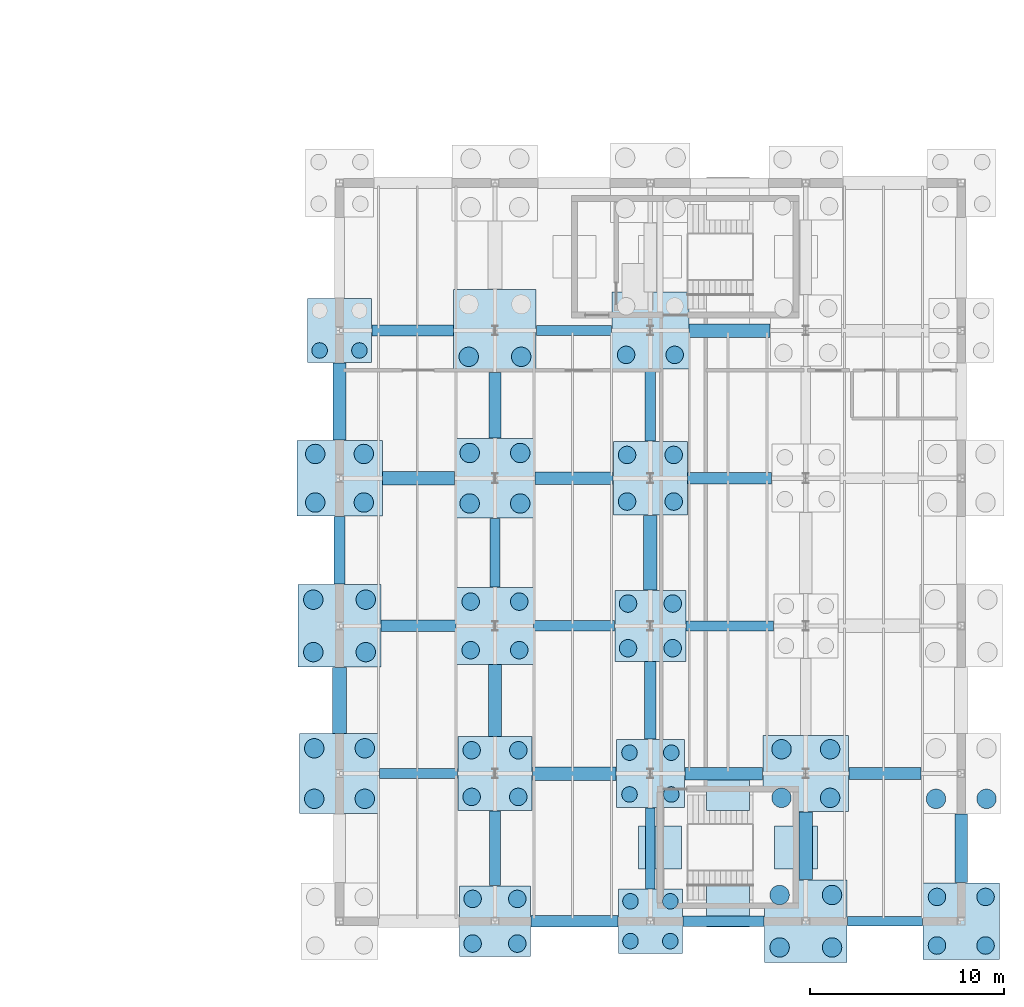
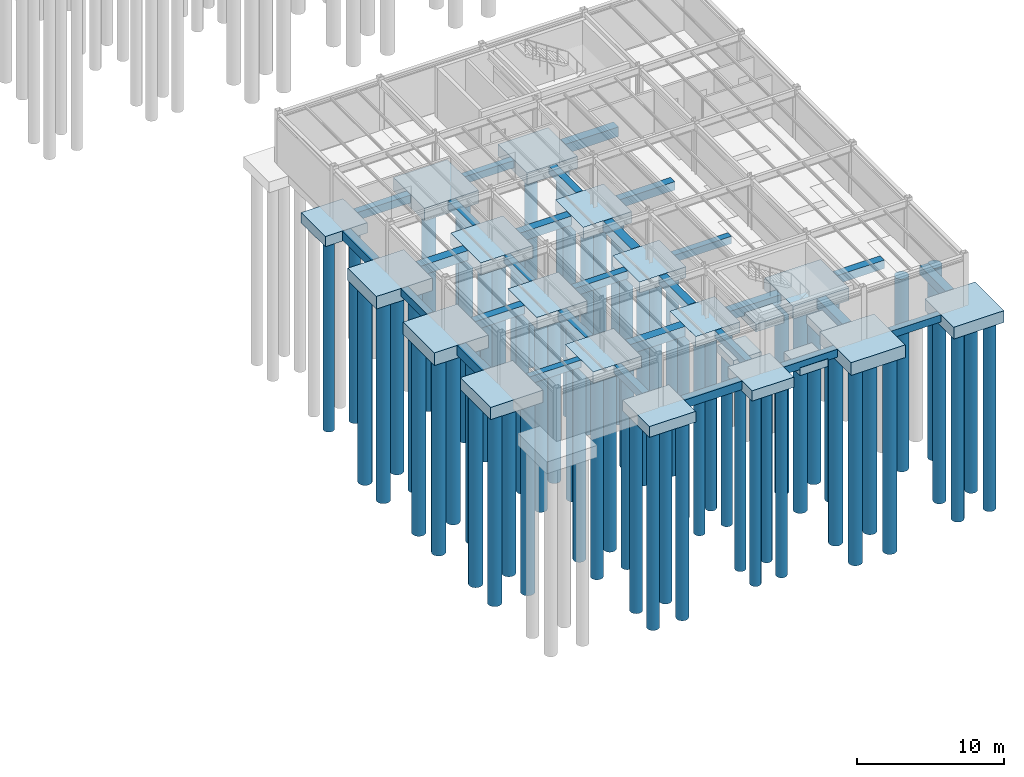
# One storey, part 6 of 33: 64 piles, 50 footings.
"""IFC4 building model written with IfcOpenShell, lengths in metres."""

from ifc_helpers import new_model, si_unit, direction, frame, origin, origin_2d, place, context, subcontext, project, spatial, rectangle, circle, extrude, material, material_profile, profile_set, type_object, element, save


model = new_model("IFC4")

# Units and contexts
model_context = context("Model", 3, precision=1e-05, world=origin(), true_north=direction((0.0, 1.0)))
body_context = subcontext(model_context, "Body", "Model", "MODEL_VIEW")
ifc_project = project(units=[si_unit("LENGTHUNIT", "METRE"), si_unit("AREAUNIT", "SQUARE_METRE"), si_unit("VOLUMEUNIT", "CUBIC_METRE"), si_unit("PLANEANGLEUNIT", "RADIAN"), si_unit("MASSUNIT", "GRAM", prefix="KILO")], contexts=[model_context])

# Site, building, storey
site_placement = place(None, origin())
site = spatial("IfcSite", under=ifc_project, at=site_placement, CompositionType="ELEMENT")
building_placement = place(site_placement, origin())
building = spatial("IfcBuilding", under=site, at=building_placement, Name="Montecoro Central Library", CompositionType="ELEMENT")
storey_placement = place(building_placement, frame((0.0, 0.0, -4.419921875)))
storey = spatial("IfcBuildingStorey", under=building, at=storey_placement, Name="B1", CompositionType="ELEMENT", Elevation=-4.419921875)

# Footings
ifc_material = material(Name="Concrete C35/45", Category="concrete")
footing_type_1 = type_object("IfcFootingType", Name="FT-PAD-220", PredefinedType="PAD_FOOTING", material=ifc_material)
for number, where, z_axis, x_axis, name in (
    (1, (161.0, 5.800048828125, -1.150146484375), (0.0, 0.0, 1.0), (1.0, 0.0, 0.0), "FT-WALL-C10-WS"),
    (2, (161.0, 11.800048828125, -1.150146484375), (0.0, 0.0, 1.0), (1.0, 0.0, 0.0), "FT-WALL-C10-WN"),
    (3, (157.5, 8.800048828125, -1.150146484375), (0.0, 0.0, 1.0), (1.0, 0.0, 0.0), "FT-WALL-C10-WW"),
    (4, (164.5, 8.800048828125, -1.150146484375), (0.0, 0.0, 1.0), (1.0, 0.0, 0.0), "FT-WALL-C10-WE"),
):
    element("IfcFooting", number, at=place(storey_placement, frame(where, z_axis=z_axis, x_axis=x_axis)), inside=storey, type_object=footing_type_1, Name=name, PredefinedType="PAD_FOOTING", context=body_context, shape_type="SweptSolid", body=[
        extrude(rectangle(XDim=2.199951171875, YDim=2.199951171875, at=origin_2d()), origin(), (0.0, 0.0, 1.0), 0.64990234375),
    ])
footing_type_2 = type_object("IfcFootingType", Name="FT-PC-330", PredefinedType="PILE_CAP", material=ifc_material)
for number, where, z_axis, x_axis, name in (
    (5, (141.0, 35.39990234375, -0.85009765625), (0.0, 0.0, 1.0), (1.0, 0.0, 0.0), "V6-CAP-18-E"),
    (6, (157.0, 5.0, -0.85009765625), (0.0, 0.0, 1.0), (1.0, 0.0, 0.0), "V6-CAP-20-A"),
):
    element("IfcFooting", number, at=place(storey_placement, frame(where, z_axis=z_axis, x_axis=x_axis)), inside=storey, type_object=footing_type_2, Name=name, PredefinedType="PILE_CAP", context=body_context, shape_type="SweptSolid", body=[
        extrude(rectangle(XDim=3.300048828125, YDim=3.300048828125, at=origin_2d()), origin(), (0.0, 0.0, 1.0), 0.85009765625),
    ])
footing_type_3 = type_object("IfcFootingType", Name="FT-PC-350", PredefinedType="PILE_CAP", material=ifc_material)
footing_1_placement = place(storey_placement, frame((157.0, 12.60009765625, -0.880126953125), z_axis=(0.0, 0.0, 1.0), x_axis=(1.0, 0.0, 0.0)))
element("IfcFooting", 7, at=footing_1_placement, inside=storey, type_object=footing_type_3, Name="V6-CAP-20-B", PredefinedType="PILE_CAP", context=body_context, shape_type="SweptSolid", body=[
    extrude(rectangle(XDim=3.5, YDim=3.5, at=origin_2d()), origin(), (0.0, 0.0, 1.0), 0.8798828125),
])
footing_type_4 = type_object("IfcFootingType", Name="FT-PC-365", PredefinedType="PILE_CAP", material=ifc_material)
for number, where, z_axis, x_axis, name in (
    (8, (149.0, 5.0, -0.900146484375), (0.0, 0.0, 1.0), (1.0, 0.0, 0.0), "V6-CAP-19-A"),
    (9, (157.0, 20.199951171875, -0.900146484375), (0.0, 0.0, 1.0), (1.0, 0.0, 0.0), "V6-CAP-20-C"),
):
    element("IfcFooting", number, at=place(storey_placement, frame(where, z_axis=z_axis, x_axis=x_axis)), inside=storey, type_object=footing_type_4, Name=name, PredefinedType="PILE_CAP", context=body_context, shape_type="SweptSolid", body=[
        extrude(rectangle(XDim=3.64990234375, YDim=3.64990234375, at=origin_2d()), origin(), (0.0, 0.0, 1.0), 0.89990234375),
    ])
footing_type_5 = type_object("IfcFootingType", Name="FT-PC-380", PredefinedType="PILE_CAP", material=ifc_material)
for number, where, z_axis, x_axis, name in (
    (10, (149.0, 12.60009765625, -0.9501953125), (0.0, 0.0, 1.0), (1.0, 0.0, 0.0), "V6-CAP-19-B"),
    (11, (157.0, 27.800048828125, -0.9501953125), (0.0, 0.0, 1.0), (1.0, 0.0, 0.0), "V6-CAP-20-D"),
):
    element("IfcFooting", number, at=place(storey_placement, frame(where, z_axis=z_axis, x_axis=x_axis)), inside=storey, type_object=footing_type_5, Name=name, PredefinedType="PILE_CAP", context=body_context, shape_type="SweptSolid", body=[
        extrude(rectangle(XDim=3.800048828125, YDim=3.800048828125, at=origin_2d()), origin(), (0.0, 0.0, 1.0), 0.949951171875),
    ])
footing_type_6 = type_object("IfcFootingType", Name="FT-PC-395", PredefinedType="PILE_CAP", material=ifc_material)
for number, where, z_axis, x_axis, name in (
    (12, (149.0, 20.199951171875, -0.97998046875), (0.0, 0.0, 1.0), (1.0, 0.0, 0.0), "V6-CAP-19-C"),
    (13, (157.0, 35.39990234375, -0.97998046875), (0.0, 0.0, 1.0), (1.0, 0.0, 0.0), "V6-CAP-20-E"),
    (14, (173.0, 5.0, -0.97998046875), (0.0, 0.0, 1.0), (1.0, 0.0, 0.0), "V6-CAP-22-A"),
):
    element("IfcFooting", number, at=place(storey_placement, frame(where, z_axis=z_axis, x_axis=x_axis)), inside=storey, type_object=footing_type_6, Name=name, PredefinedType="PILE_CAP", context=body_context, shape_type="SweptSolid", body=[
        extrude(rectangle(XDim=3.949951171875, YDim=3.949951171875, at=origin_2d()), origin(), (0.0, 0.0, 1.0), 0.97998046875),
    ])
footing_type_7 = type_object("IfcFootingType", Name="FT-PC-410", PredefinedType="PILE_CAP", material=ifc_material)
for number, where, z_axis, x_axis, name in (
    (15, (141.0, 12.60009765625, -1.02001953125), (0.0, 0.0, 1.0), (1.0, 0.0, 0.0), "V6-CAP-18-B"),
    (16, (149.0, 27.800048828125, -1.02001953125), (0.0, 0.0, 1.0), (1.0, 0.0, 0.0), "V6-CAP-19-D"),
):
    element("IfcFooting", number, at=place(storey_placement, frame(where, z_axis=z_axis, x_axis=x_axis)), inside=storey, type_object=footing_type_7, Name=name, PredefinedType="PILE_CAP", context=body_context, shape_type="SweptSolid", body=[
        extrude(rectangle(XDim=4.10009765625, YDim=4.10009765625, at=origin_2d()), origin(), (0.0, 0.0, 1.0), 1.02001953125),
    ])
footing_type_8 = type_object("IfcFootingType", Name="FT-PC-425", PredefinedType="PILE_CAP", material=ifc_material)
for number, where, z_axis, x_axis, name in (
    (17, (141.0, 20.199951171875, -1.06005859375), (0.0, 0.0, 1.0), (1.0, 0.0, 0.0), "V6-CAP-18-C"),
    (18, (149.0, 35.39990234375, -1.06005859375), (0.0, 0.0, 1.0), (1.0, 0.0, 0.0), "V6-CAP-19-E"),
    (19, (165.0, 5.0, -1.06005859375), (0.0, 0.0, 1.0), (1.0, 0.0, 0.0), "V6-CAP-21-A"),
):
    element("IfcFooting", number, at=place(storey_placement, frame(where, z_axis=z_axis, x_axis=x_axis)), inside=storey, type_object=footing_type_8, Name=name, PredefinedType="PILE_CAP", context=body_context, shape_type="SweptSolid", body=[
        extrude(rectangle(XDim=4.25, YDim=4.25, at=origin_2d()), origin(), (0.0, 0.0, 1.0), 1.06005859375),
    ])
footing_type_9 = type_object("IfcFootingType", Name="FT-PC-440", PredefinedType="PILE_CAP", material=ifc_material)
for number, where, z_axis, x_axis, name in (
    (20, (141.0, 27.800048828125, -1.05029296875), (0.0, 0.0, 1.0), (1.0, 0.0, 0.0), "V6-CAP-18-D"),
    (21, (165.0, 12.60009765625, -1.05029296875), (0.0, 0.0, 1.0), (1.0, 0.0, 0.0), "V6-CAP-21-B"),
):
    element("IfcFooting", number, at=place(storey_placement, frame(where, z_axis=z_axis, x_axis=x_axis)), inside=storey, type_object=footing_type_9, Name=name, PredefinedType="PILE_CAP", context=body_context, shape_type="SweptSolid", body=[
        extrude(rectangle(XDim=4.39990234375, YDim=3.89990234375, at=origin_2d()), origin(), (0.0, 0.0, 1.0), 1.050048828125),
    ])
footing_type_10 = type_object("IfcFootingType", Name="FT-TB-01", PredefinedType="FOOTING_BEAM", material=ifc_material)
footing_2_placement = place(storey_placement, frame((145.074951171875, 12.60009765625, -0.60009765625), z_axis=(0.0, 0.0, 1.0), x_axis=(1.0, 0.0, 0.0)))
element("IfcFooting", 22, at=footing_2_placement, inside=storey, type_object=footing_type_10, Name="FT-TBX-125", PredefinedType="FOOTING_BEAM", context=body_context, shape_type="SweptSolid", body=[
    extrude(rectangle(XDim=4.010009765625, YDim=0.5, at=origin_2d()), origin(), (0.0, 0.0, 1.0), 0.60009765625),
])
footing_3_placement = place(storey_placement, frame((149.0, 23.9619140625, -0.60009765625), z_axis=(0.0, 0.0, 1.0), x_axis=(1.0, 0.0, 0.0)))
element("IfcFooting", 23, at=footing_3_placement, inside=storey, type_object=footing_type_10, Name="FT-TBY-150", PredefinedType="FOOTING_BEAM", context=body_context, shape_type="SweptSolid", body=[
    extrude(rectangle(XDim=0.5, YDim=3.534912109375, at=origin_2d()), origin(), (0.0, 0.0, 1.0), 0.60009765625),
])
footing_4_placement = place(storey_placement, frame((153.074951171875, 35.39990234375, -0.60009765625), z_axis=(0.0, 0.0, 1.0), x_axis=(1.0, 0.0, 0.0)))
element("IfcFooting", 24, at=footing_4_placement, inside=storey, type_object=footing_type_10, Name="FT-TBX-155", PredefinedType="FOOTING_BEAM", context=body_context, shape_type="SweptSolid", body=[
    extrude(rectangle(XDim=3.860107421875, YDim=0.5, at=origin_2d()), origin(), (0.0, 0.0, 1.0), 0.60009765625),
])
footing_5_placement = place(storey_placement, frame((157.0, 8.75, -0.60009765625), z_axis=(0.0, 0.0, 1.0), x_axis=(1.0, 0.0, 0.0)))
element("IfcFooting", 25, at=footing_5_placement, inside=storey, type_object=footing_type_10, Name="FT-TBY-170", PredefinedType="FOOTING_BEAM", context=body_context, shape_type="SweptSolid", body=[
    extrude(rectangle(XDim=0.5, YDim=4.159912109375, at=origin_2d()), origin(), (0.0, 0.0, 1.0), 0.60009765625),
])
footing_6_placement = place(storey_placement, frame((161.087890625, 20.199951171875, -0.60009765625), z_axis=(0.0, 0.0, 1.0), x_axis=(1.0, 0.0, 0.0)))
element("IfcFooting", 26, at=footing_6_placement, inside=storey, type_object=footing_type_10, Name="FT-TBX-175", PredefinedType="FOOTING_BEAM", context=body_context, shape_type="SweptSolid", body=[
    extrude(rectangle(XDim=4.485107421875, YDim=0.5, at=origin_2d()), origin(), (0.0, 0.0, 1.0), 0.60009765625),
])
footing_7_placement = place(storey_placement, frame((169.074951171875, 5.0, -0.60009765625), z_axis=(0.0, 0.0, 1.0), x_axis=(1.0, 0.0, 0.0)))
element("IfcFooting", 27, at=footing_7_placement, inside=storey, type_object=footing_type_10, Name="FT-TBX-195", PredefinedType="FOOTING_BEAM", context=body_context, shape_type="SweptSolid", body=[
    extrude(rectangle(XDim=3.860107421875, YDim=0.5, at=origin_2d()), origin(), (0.0, 0.0, 1.0), 0.60009765625),
])
footing_type_11 = type_object("IfcFootingType", Name="FT-TB-02", PredefinedType="FOOTING_BEAM", material=ifc_material)
footing_8_placement = place(storey_placement, frame((141.0, 24.0869140625, -0.650146484375), z_axis=(0.0, 0.0, 1.0), x_axis=(1.0, 0.0, 0.0)))
element("IfcFooting", 28, at=footing_8_placement, inside=storey, type_object=footing_type_11, Name="FT-TBY-126", PredefinedType="FOOTING_BEAM", context=body_context, shape_type="SweptSolid", body=[
    extrude(rectangle(XDim=0.550048828125, YDim=3.485107421875, at=origin_2d()), origin(), (0.0, 0.0, 1.0), 0.64990234375),
])
footing_9_placement = place(storey_placement, frame((144.761962890625, 35.39990234375, -0.650146484375), z_axis=(0.0, 0.0, 1.0), x_axis=(1.0, 0.0, 0.0)))
element("IfcFooting", 29, at=footing_9_placement, inside=storey, type_object=footing_type_11, Name="FT-TBX-131", PredefinedType="FOOTING_BEAM", context=body_context, shape_type="SweptSolid", body=[
    extrude(rectangle(XDim=4.18505859375, YDim=0.550048828125, at=origin_2d()), origin(), (0.0, 0.0, 1.0), 0.64990234375),
])
footing_10_placement = place(storey_placement, frame((149.0, 8.761962890625, -0.650146484375), z_axis=(0.0, 0.0, 1.0), x_axis=(1.0, 0.0, 0.0)))
element("IfcFooting", 30, at=footing_10_placement, inside=storey, type_object=footing_type_11, Name="FT-TBY-146", PredefinedType="FOOTING_BEAM", context=body_context, shape_type="SweptSolid", body=[
    extrude(rectangle(XDim=0.550048828125, YDim=3.8349609375, at=origin_2d()), origin(), (0.0, 0.0, 1.0), 0.64990234375),
])
footing_11_placement = place(storey_placement, frame((153.074951171875, 20.199951171875, -0.650146484375), z_axis=(0.0, 0.0, 1.0), x_axis=(1.0, 0.0, 0.0)))
element("IfcFooting", 31, at=footing_11_placement, inside=storey, type_object=footing_type_11, Name="FT-TBX-151", PredefinedType="FOOTING_BEAM", context=body_context, shape_type="SweptSolid", body=[
    extrude(rectangle(XDim=4.159912109375, YDim=0.550048828125, at=origin_2d()), origin(), (0.0, 0.0, 1.0), 0.64990234375),
])
footing_12_placement = place(storey_placement, frame((160.761962890625, 5.0, -0.650146484375), z_axis=(0.0, 0.0, 1.0), x_axis=(1.0, 0.0, 0.0)))
element("IfcFooting", 32, at=footing_12_placement, inside=storey, type_object=footing_type_11, Name="FT-TBX-171", PredefinedType="FOOTING_BEAM", context=body_context, shape_type="SweptSolid", body=[
    extrude(rectangle(XDim=4.18505859375, YDim=0.550048828125, at=origin_2d()), origin(), (0.0, 0.0, 1.0), 0.64990234375),
])
footing_13_placement = place(storey_placement, frame((157.0, 31.56201171875, -0.650146484375), z_axis=(0.0, 0.0, 1.0), x_axis=(1.0, 0.0, 0.0)))
element("IfcFooting", 33, at=footing_13_placement, inside=storey, type_object=footing_type_11, Name="FT-TBY-176", PredefinedType="FOOTING_BEAM", context=body_context, shape_type="SweptSolid", body=[
    extrude(rectangle(XDim=0.550048828125, YDim=3.68505859375, at=origin_2d()), origin(), (0.0, 0.0, 1.0), 0.64990234375),
])
footing_type_12 = type_object("IfcFootingType", Name="FT-TB-03", PredefinedType="FOOTING_BEAM", material=ifc_material)
footing_14_placement = place(storey_placement, frame((145.074951171875, 20.199951171875, -0.7001953125), z_axis=(0.0, 0.0, 1.0), x_axis=(1.0, 0.0, 0.0)))
element("IfcFooting", 34, at=footing_14_placement, inside=storey, type_object=footing_type_12, Name="FT-TBX-127", PredefinedType="FOOTING_BEAM", context=body_context, shape_type="SweptSolid", body=[
    extrude(rectangle(XDim=3.860107421875, YDim=0.60009765625, at=origin_2d()), origin(), (0.0, 0.0, 1.0), 0.699951171875),
])
footing_15_placement = place(storey_placement, frame((153.087890625, 5.0, -0.7001953125), z_axis=(0.0, 0.0, 1.0), x_axis=(1.0, 0.0, 0.0)))
element("IfcFooting", 35, at=footing_15_placement, inside=storey, type_object=footing_type_12, Name="FT-TBX-147", PredefinedType="FOOTING_BEAM", context=body_context, shape_type="SweptSolid", body=[
    extrude(rectangle(XDim=4.485107421875, YDim=0.60009765625, at=origin_2d()), origin(), (0.0, 0.0, 1.0), 0.699951171875),
])
footing_16_placement = place(storey_placement, frame((149.0, 31.56201171875, -0.7001953125), z_axis=(0.0, 0.0, 1.0), x_axis=(1.0, 0.0, 0.0)))
element("IfcFooting", 36, at=footing_16_placement, inside=storey, type_object=footing_type_12, Name="FT-TBY-152", PredefinedType="FOOTING_BEAM", context=body_context, shape_type="SweptSolid", body=[
    extrude(rectangle(XDim=0.60009765625, YDim=3.385009765625, at=origin_2d()), origin(), (0.0, 0.0, 1.0), 0.699951171875),
])
footing_17_placement = place(storey_placement, frame((157.0, 16.363037109375, -0.7001953125), z_axis=(0.0, 0.0, 1.0), x_axis=(1.0, 0.0, 0.0)))
element("IfcFooting", 37, at=footing_17_placement, inside=storey, type_object=footing_type_12, Name="FT-TBY-172", PredefinedType="FOOTING_BEAM", context=body_context, shape_type="SweptSolid", body=[
    extrude(rectangle(XDim=0.60009765625, YDim=3.985107421875, at=origin_2d()), origin(), (0.0, 0.0, 1.0), 0.699951171875),
])
footing_18_placement = place(storey_placement, frame((161.074951171875, 27.800048828125, -0.7001953125), z_axis=(0.0, 0.0, 1.0), x_axis=(1.0, 0.0, 0.0)))
element("IfcFooting", 38, at=footing_18_placement, inside=storey, type_object=footing_type_12, Name="FT-TBX-177", PredefinedType="FOOTING_BEAM", context=body_context, shape_type="SweptSolid", body=[
    extrude(rectangle(XDim=4.31005859375, YDim=0.60009765625, at=origin_2d()), origin(), (0.0, 0.0, 1.0), 0.699951171875),
])
footing_19_placement = place(storey_placement, frame((169.074951171875, 12.60009765625, -0.7001953125), z_axis=(0.0, 0.0, 1.0), x_axis=(1.0, 0.0, 0.0)))
element("IfcFooting", 39, at=footing_19_placement, inside=storey, type_object=footing_type_12, Name="FT-TBX-197", PredefinedType="FOOTING_BEAM", context=body_context, shape_type="SweptSolid", body=[
    extrude(rectangle(XDim=3.7099609375, YDim=0.60009765625, at=origin_2d()), origin(), (0.0, 0.0, 1.0), 0.699951171875),
])
footing_type_13 = type_object("IfcFootingType", Name="FT-TB-04", PredefinedType="FOOTING_BEAM", material=ifc_material)
footing_20_placement = place(storey_placement, frame((141.0, 31.75, -0.75), z_axis=(0.0, 0.0, 1.0), x_axis=(1.0, 0.0, 0.0)))
element("IfcFooting", 40, at=footing_20_placement, inside=storey, type_object=footing_type_13, Name="FT-TBY-128", PredefinedType="FOOTING_BEAM", context=body_context, shape_type="SweptSolid", body=[
    extrude(rectangle(XDim=0.64990234375, YDim=3.9599609375, at=origin_2d()), origin(), (0.0, 0.0, 1.0), 0.75),
])
footing_21_placement = place(storey_placement, frame((149.0, 16.362060546875, -0.75), z_axis=(0.0, 0.0, 1.0), x_axis=(1.0, 0.0, 0.0)))
element("IfcFooting", 41, at=footing_21_placement, inside=storey, type_object=footing_type_13, Name="FT-TBY-148", PredefinedType="FOOTING_BEAM", context=body_context, shape_type="SweptSolid", body=[
    extrude(rectangle(XDim=0.64990234375, YDim=3.68505859375, at=origin_2d()), origin(), (0.0, 0.0, 1.0), 0.75),
])
for number, where, z_axis, x_axis, name in (
    (42, (153.074951171875, 27.800048828125, -0.75), (0.0, 0.0, 1.0), (1.0, 0.0, 0.0), "FT-TBX-153"),
    (43, (160.77490234375, 12.60009765625, -0.75), (0.0, 0.0, 1.0), (1.0, 0.0, 0.0), "FT-TBX-173"),
):
    element("IfcFooting", number, at=place(storey_placement, frame(where, z_axis=z_axis, x_axis=x_axis)), inside=storey, type_object=footing_type_13, Name=name, PredefinedType="FOOTING_BEAM", context=body_context, shape_type="SweptSolid", body=[
        extrude(rectangle(XDim=4.010009765625, YDim=0.64990234375, at=origin_2d()), origin(), (0.0, 0.0, 1.0), 0.75),
    ])
footing_22_placement = place(storey_placement, frame((173.0, 8.761962890625, -0.75), z_axis=(0.0, 0.0, 1.0), x_axis=(1.0, 0.0, 0.0)))
element("IfcFooting", 44, at=footing_22_placement, inside=storey, type_object=footing_type_13, Name="FT-TBY-218", PredefinedType="FOOTING_BEAM", context=body_context, shape_type="SweptSolid", body=[
    extrude(rectangle(XDim=0.64990234375, YDim=3.534912109375, at=origin_2d()), origin(), (0.0, 0.0, 1.0), 0.75),
])
footing_type_14 = type_object("IfcFootingType", Name="FT-TB-05", PredefinedType="FOOTING_BEAM", material=ifc_material)
footing_23_placement = place(storey_placement, frame((141.0, 16.363037109375, -0.80029296875), z_axis=(0.0, 0.0, 1.0), x_axis=(1.0, 0.0, 0.0)))
element("IfcFooting", 45, at=footing_23_placement, inside=storey, type_object=footing_type_14, Name="FT-TBY-124", PredefinedType="FOOTING_BEAM", context=body_context, shape_type="SweptSolid", body=[
    extrude(rectangle(XDim=0.699951171875, YDim=3.385009765625, at=origin_2d()), origin(), (0.0, 0.0, 1.0), 0.800048828125),
])
footing_24_placement = place(storey_placement, frame((145.074951171875, 27.800048828125, -0.80029296875), z_axis=(0.0, 0.0, 1.0), x_axis=(1.0, 0.0, 0.0)))
element("IfcFooting", 46, at=footing_24_placement, inside=storey, type_object=footing_type_14, Name="FT-TBX-129", PredefinedType="FOOTING_BEAM", context=body_context, shape_type="SweptSolid", body=[
    extrude(rectangle(XDim=3.7099609375, YDim=0.699951171875, at=origin_2d()), origin(), (0.0, 0.0, 1.0), 0.800048828125),
])
footing_25_placement = place(storey_placement, frame((153.074951171875, 12.60009765625, -0.80029296875), z_axis=(0.0, 0.0, 1.0), x_axis=(1.0, 0.0, 0.0)))
element("IfcFooting", 47, at=footing_25_placement, inside=storey, type_object=footing_type_14, Name="FT-TBX-149", PredefinedType="FOOTING_BEAM", context=body_context, shape_type="SweptSolid", body=[
    extrude(rectangle(XDim=4.31005859375, YDim=0.699951171875, at=origin_2d()), origin(), (0.0, 0.0, 1.0), 0.800048828125),
])
footing_26_placement = place(storey_placement, frame((157.0, 23.9619140625, -0.80029296875), z_axis=(0.0, 0.0, 1.0), x_axis=(1.0, 0.0, 0.0)))
element("IfcFooting", 48, at=footing_26_placement, inside=storey, type_object=footing_type_14, Name="FT-TBY-174", PredefinedType="FOOTING_BEAM", context=body_context, shape_type="SweptSolid", body=[
    extrude(rectangle(XDim=0.699951171875, YDim=3.8349609375, at=origin_2d()), origin(), (0.0, 0.0, 1.0), 0.800048828125),
])
footing_27_placement = place(storey_placement, frame((161.074951171875, 35.39990234375, -0.80029296875), z_axis=(0.0, 0.0, 1.0), x_axis=(1.0, 0.0, 0.0)))
element("IfcFooting", 49, at=footing_27_placement, inside=storey, type_object=footing_type_14, Name="FT-TBX-179", PredefinedType="FOOTING_BEAM", context=body_context, shape_type="SweptSolid", body=[
    extrude(rectangle(XDim=4.159912109375, YDim=0.699951171875, at=origin_2d()), origin(), (0.0, 0.0, 1.0), 0.800048828125),
])
footing_28_placement = place(storey_placement, frame((165.0, 8.886962890625, -0.80029296875), z_axis=(0.0, 0.0, 1.0), x_axis=(1.0, 0.0, 0.0)))
element("IfcFooting", 50, at=footing_28_placement, inside=storey, type_object=footing_type_14, Name="FT-TBY-194", PredefinedType="FOOTING_BEAM", context=body_context, shape_type="SweptSolid", body=[
    extrude(rectangle(XDim=0.699951171875, YDim=3.485107421875, at=origin_2d()), origin(), (0.0, 0.0, 1.0), 0.800048828125),
])

# Piles
ifc_material_profile_1 = material_profile(ifc_material, circle(Radius=0.5, at=origin_2d()), Name="PILE D1000")
ifc_profile_set_1 = profile_set([ifc_material_profile_1], Name="Concrete C35/45")
pile_type_1 = type_object("IfcPileType", Name="PL-BORED-1000", PredefinedType="BORED", material=ifc_profile_set_1)
for number, where, z_axis, x_axis, name in (
    (51, (139.699951171875, 11.300048828125, -0.920166015625), (0.0, 0.0, -1.0), (1.0, 0.0, 0.0), "V6-CAP-18-B-P1"),
    (52, (139.699951171875, 13.89990234375, -0.920166015625), (0.0, 0.0, -1.0), (1.0, 0.0, 0.0), "V6-CAP-18-B-P2"),
    (53, (142.300048828125, 11.300048828125, -0.920166015625), (0.0, 0.0, -1.0), (1.0, 0.0, 0.0), "V6-CAP-18-B-P3"),
    (54, (142.300048828125, 13.89990234375, -0.920166015625), (0.0, 0.0, -1.0), (1.0, 0.0, 0.0), "V6-CAP-18-B-P4"),
):
    element("IfcPile", number, at=place(storey_placement, frame(where, z_axis=z_axis, x_axis=x_axis)), inside=storey, type_object=pile_type_1, Name=name, PredefinedType="BORED", context=body_context, shape_type="SweptSolid", body=[
        extrude(circle(Radius=0.5, at=origin_2d()), origin(), (0.0, 0.0, 1.0), 16.010009765625),
    ])
for number, where, z_axis, x_axis, name in (
    (55, (139.64990234375, 18.85009765625, -0.9599609375), (0.0, 0.0, -1.0), (1.0, 0.0, 0.0), "V6-CAP-18-C-P1"),
    (56, (139.64990234375, 21.550048828125, -0.9599609375), (0.0, 0.0, -1.0), (1.0, 0.0, 0.0), "V6-CAP-18-C-P2"),
    (57, (142.35009765625, 18.85009765625, -0.9599609375), (0.0, 0.0, -1.0), (1.0, 0.0, 0.0), "V6-CAP-18-C-P3"),
    (58, (142.35009765625, 21.550048828125, -0.9599609375), (0.0, 0.0, -1.0), (1.0, 0.0, 0.0), "V6-CAP-18-C-P4"),
):
    element("IfcPile", number, at=place(storey_placement, frame(where, z_axis=z_axis, x_axis=x_axis)), inside=storey, type_object=pile_type_1, Name=name, PredefinedType="BORED", context=body_context, shape_type="SweptSolid", body=[
        extrude(circle(Radius=0.5, at=origin_2d()), origin(), (0.0, 0.0, 1.0), 16.320068359375),
    ])
for number, where, z_axis, x_axis, name in (
    (59, (139.75, 26.550048828125, -0.9501953125), (0.0, 0.0, -1.0), (1.0, 0.0, 0.0), "V6-CAP-18-D-P1"),
    (60, (139.75, 29.050048828125, -0.9501953125), (0.0, 0.0, -1.0), (1.0, 0.0, 0.0), "V6-CAP-18-D-P2"),
    (61, (142.25, 26.550048828125, -0.9501953125), (0.0, 0.0, -1.0), (1.0, 0.0, 0.0), "V6-CAP-18-D-P3"),
    (62, (142.25, 29.050048828125, -0.9501953125), (0.0, 0.0, -1.0), (1.0, 0.0, 0.0), "V6-CAP-18-D-P4"),
):
    element("IfcPile", number, at=place(storey_placement, frame(where, z_axis=z_axis, x_axis=x_axis)), inside=storey, type_object=pile_type_1, Name=name, PredefinedType="BORED", context=body_context, shape_type="SweptSolid", body=[
        extrude(circle(Radius=0.5, at=origin_2d()), origin(), (0.0, 0.0, 1.0), 16.679931640625),
    ])
for number, where, z_axis, x_axis, name in (
    (63, (147.699951171875, 26.5, -0.920166015625), (0.0, 0.0, -1.0), (1.0, 0.0, 0.0), "V6-CAP-19-D-P1"),
    (64, (147.699951171875, 29.10009765625, -0.920166015625), (0.0, 0.0, -1.0), (1.0, 0.0, 0.0), "V6-CAP-19-D-P2"),
    (65, (150.300048828125, 26.5, -0.920166015625), (0.0, 0.0, -1.0), (1.0, 0.0, 0.0), "V6-CAP-19-D-P3"),
    (66, (150.300048828125, 29.10009765625, -0.920166015625), (0.0, 0.0, -1.0), (1.0, 0.0, 0.0), "V6-CAP-19-D-P4"),
):
    element("IfcPile", number, at=place(storey_placement, frame(where, z_axis=z_axis, x_axis=x_axis)), inside=storey, type_object=pile_type_1, Name=name, PredefinedType="BORED", context=body_context, shape_type="SweptSolid", body=[
        extrude(circle(Radius=0.5, at=origin_2d()), origin(), (0.0, 0.0, 1.0), 16.010009765625),
    ])
for number, where, z_axis, x_axis, name in (
    (67, (147.64990234375, 34.050048828125, -0.9599609375), (0.0, 0.0, -1.0), (1.0, 0.0, 0.0), "V6-CAP-19-E-P1"),
    (68, (150.35009765625, 34.050048828125, -0.9599609375), (0.0, 0.0, -1.0), (1.0, 0.0, 0.0), "V6-CAP-19-E-P3"),
    (69, (163.64990234375, 3.64990234375, -0.9599609375), (0.0, 0.0, -1.0), (1.0, 0.0, 0.0), "V6-CAP-21-A-P1"),
    (70, (163.64990234375, 6.35009765625, -0.9599609375), (0.0, 0.0, -1.0), (1.0, 0.0, 0.0), "V6-CAP-21-A-P2"),
    (71, (166.35009765625, 3.64990234375, -0.9599609375), (0.0, 0.0, -1.0), (1.0, 0.0, 0.0), "V6-CAP-21-A-P3"),
    (72, (166.35009765625, 6.35009765625, -0.9599609375), (0.0, 0.0, -1.0), (1.0, 0.0, 0.0), "V6-CAP-21-A-P4"),
):
    element("IfcPile", number, at=place(storey_placement, frame(where, z_axis=z_axis, x_axis=x_axis)), inside=storey, type_object=pile_type_1, Name=name, PredefinedType="BORED", context=body_context, shape_type="SweptSolid", body=[
        extrude(circle(Radius=0.5, at=origin_2d()), origin(), (0.0, 0.0, 1.0), 16.320068359375),
    ])
for number, where, z_axis, x_axis, name in (
    (73, (163.75, 11.35009765625, -0.9501953125), (0.0, 0.0, -1.0), (1.0, 0.0, 0.0), "V6-CAP-21-B-P1"),
    (74, (163.75, 13.85009765625, -0.9501953125), (0.0, 0.0, -1.0), (1.0, 0.0, 0.0), "V6-CAP-21-B-P2"),
    (75, (166.25, 11.35009765625, -0.9501953125), (0.0, 0.0, -1.0), (1.0, 0.0, 0.0), "V6-CAP-21-B-P3"),
    (76, (166.25, 13.85009765625, -0.9501953125), (0.0, 0.0, -1.0), (1.0, 0.0, 0.0), "V6-CAP-21-B-P4"),
):
    element("IfcPile", number, at=place(storey_placement, frame(where, z_axis=z_axis, x_axis=x_axis)), inside=storey, type_object=pile_type_1, Name=name, PredefinedType="BORED", context=body_context, shape_type="SweptSolid", body=[
        extrude(circle(Radius=0.5, at=origin_2d()), origin(), (0.0, 0.0, 1.0), 16.679931640625),
    ])
for number, where, z_axis, x_axis, name in (
    (77, (171.699951171875, 11.300048828125, -0.920166015625), (0.0, 0.0, -1.0), (1.0, 0.0, 0.0), "V6-CAP-22-B-P1"),
    (78, (174.300048828125, 11.300048828125, -0.920166015625), (0.0, 0.0, -1.0), (1.0, 0.0, 0.0), "V6-CAP-22-B-P3"),
):
    element("IfcPile", number, at=place(storey_placement, frame(where, z_axis=z_axis, x_axis=x_axis)), inside=storey, type_object=pile_type_1, Name=name, PredefinedType="BORED", context=body_context, shape_type="SweptSolid", body=[
        extrude(circle(Radius=0.5, at=origin_2d()), origin(), (0.0, 0.0, 1.0), 16.010009765625),
    ])
ifc_material_profile_2 = material_profile(ifc_material, circle(Radius=0.39990234375, at=origin_2d()), Name="PILE D800")
ifc_profile_set_2 = profile_set([ifc_material_profile_2], Name="Concrete C35/45")
pile_type_2 = type_object("IfcPileType", Name="PL-BORED-800", PredefinedType="BORED", material=ifc_profile_set_2)
for number, where, z_axis, x_axis, name in (
    (79, (139.97509765625, 34.375, -0.75), (0.0, 0.0, -1.0), (1.0, 0.0, 0.0), "V6-CAP-18-E-P1"),
    (80, (142.02490234375, 34.375, -0.75), (0.0, 0.0, -1.0), (1.0, 0.0, 0.0), "V6-CAP-18-E-P3"),
    (81, (155.97509765625, 3.97509765625, -0.75), (0.0, 0.0, -1.0), (1.0, 0.0, 0.0), "V6-CAP-20-A-P1"),
    (82, (155.97509765625, 6.02490234375, -0.75), (0.0, 0.0, -1.0), (1.0, 0.0, 0.0), "V6-CAP-20-A-P2"),
    (83, (158.02490234375, 3.97509765625, -0.75), (0.0, 0.0, -1.0), (1.0, 0.0, 0.0), "V6-CAP-20-A-P3"),
    (84, (158.02490234375, 6.02490234375, -0.75), (0.0, 0.0, -1.0), (1.0, 0.0, 0.0), "V6-CAP-20-A-P4"),
):
    element("IfcPile", number, at=place(storey_placement, frame(where, z_axis=z_axis, x_axis=x_axis)), inside=storey, type_object=pile_type_2, Name=name, PredefinedType="BORED", context=body_context, shape_type="SweptSolid", body=[
        extrude(circle(Radius=0.39990234375, at=origin_2d()), origin(), (0.0, 0.0, 1.0), 15.830078125),
    ])
for number, where, z_axis, x_axis, name in (
    (85, (155.925048828125, 11.52490234375, -0.780029296875), (0.0, 0.0, -1.0), (1.0, 0.0, 0.0), "V6-CAP-20-B-P1"),
    (86, (155.925048828125, 13.675048828125, -0.780029296875), (0.0, 0.0, -1.0), (1.0, 0.0, 0.0), "V6-CAP-20-B-P2"),
    (87, (158.074951171875, 11.52490234375, -0.780029296875), (0.0, 0.0, -1.0), (1.0, 0.0, 0.0), "V6-CAP-20-B-P3"),
    (88, (158.074951171875, 13.675048828125, -0.780029296875), (0.0, 0.0, -1.0), (1.0, 0.0, 0.0), "V6-CAP-20-B-P4"),
):
    element("IfcPile", number, at=place(storey_placement, frame(where, z_axis=z_axis, x_axis=x_axis)), inside=storey, type_object=pile_type_2, Name=name, PredefinedType="BORED", context=body_context, shape_type="SweptSolid", body=[
        extrude(circle(Radius=0.39990234375, at=origin_2d()), origin(), (0.0, 0.0, 1.0), 16.14990234375),
    ])
ifc_material_profile_3 = material_profile(ifc_material, circle(Radius=0.449951171875, at=origin_2d()), Name="PILE D900")
ifc_profile_set_3 = profile_set([ifc_material_profile_3], Name="Concrete C35/45")
pile_type_3 = type_object("IfcPileType", Name="PL-BORED-900", PredefinedType="BORED", material=ifc_profile_set_3)
for number, where, z_axis, x_axis, name in (
    (89, (147.85009765625, 3.85009765625, -0.800048828125), (0.0, 0.0, -1.0), (1.0, 0.0, 0.0), "V6-CAP-19-A-P1"),
    (90, (147.85009765625, 6.14990234375, -0.800048828125), (0.0, 0.0, -1.0), (1.0, 0.0, 0.0), "V6-CAP-19-A-P2"),
    (91, (150.14990234375, 3.85009765625, -0.800048828125), (0.0, 0.0, -1.0), (1.0, 0.0, 0.0), "V6-CAP-19-A-P3"),
    (92, (150.14990234375, 6.14990234375, -0.800048828125), (0.0, 0.0, -1.0), (1.0, 0.0, 0.0), "V6-CAP-19-A-P4"),
):
    element("IfcPile", number, at=place(storey_placement, frame(where, z_axis=z_axis, x_axis=x_axis)), inside=storey, type_object=pile_type_3, Name=name, PredefinedType="BORED", context=body_context, shape_type="SweptSolid", body=[
        extrude(circle(Radius=0.449951171875, at=origin_2d()), origin(), (0.0, 0.0, 1.0), 16.47998046875),
    ])
for number, where, z_axis, x_axis, name in (
    (93, (147.800048828125, 11.39990234375, -0.85009765625), (0.0, 0.0, -1.0), (1.0, 0.0, 0.0), "V6-CAP-19-B-P1"),
    (94, (147.800048828125, 13.800048828125, -0.85009765625), (0.0, 0.0, -1.0), (1.0, 0.0, 0.0), "V6-CAP-19-B-P2"),
    (95, (150.199951171875, 11.39990234375, -0.85009765625), (0.0, 0.0, -1.0), (1.0, 0.0, 0.0), "V6-CAP-19-B-P3"),
    (96, (150.199951171875, 13.800048828125, -0.85009765625), (0.0, 0.0, -1.0), (1.0, 0.0, 0.0), "V6-CAP-19-B-P4"),
):
    element("IfcPile", number, at=place(storey_placement, frame(where, z_axis=z_axis, x_axis=x_axis)), inside=storey, type_object=pile_type_3, Name=name, PredefinedType="BORED", context=body_context, shape_type="SweptSolid", body=[
        extrude(circle(Radius=0.449951171875, at=origin_2d()), origin(), (0.0, 0.0, 1.0), 16.780029296875),
    ])
for number, where, z_axis, x_axis, name in (
    (97, (147.75, 18.949951171875, -0.880126953125), (0.0, 0.0, -1.0), (1.0, 0.0, 0.0), "V6-CAP-19-C-P1"),
    (98, (147.75, 21.449951171875, -0.880126953125), (0.0, 0.0, -1.0), (1.0, 0.0, 0.0), "V6-CAP-19-C-P2"),
    (99, (150.25, 18.949951171875, -0.880126953125), (0.0, 0.0, -1.0), (1.0, 0.0, 0.0), "V6-CAP-19-C-P3"),
    (100, (150.25, 21.449951171875, -0.880126953125), (0.0, 0.0, -1.0), (1.0, 0.0, 0.0), "V6-CAP-19-C-P4"),
):
    element("IfcPile", number, at=place(storey_placement, frame(where, z_axis=z_axis, x_axis=x_axis)), inside=storey, type_object=pile_type_3, Name=name, PredefinedType="BORED", context=body_context, shape_type="SweptSolid", body=[
        extrude(circle(Radius=0.449951171875, at=origin_2d()), origin(), (0.0, 0.0, 1.0), 15.699951171875),
    ])
for number, where, z_axis, x_axis, name in (
    (101, (155.85009765625, 19.050048828125, -0.800048828125), (0.0, 0.0, -1.0), (1.0, 0.0, 0.0), "V6-CAP-20-C-P1"),
    (102, (155.85009765625, 21.35009765625, -0.800048828125), (0.0, 0.0, -1.0), (1.0, 0.0, 0.0), "V6-CAP-20-C-P2"),
    (103, (158.14990234375, 19.050048828125, -0.800048828125), (0.0, 0.0, -1.0), (1.0, 0.0, 0.0), "V6-CAP-20-C-P3"),
    (104, (158.14990234375, 21.35009765625, -0.800048828125), (0.0, 0.0, -1.0), (1.0, 0.0, 0.0), "V6-CAP-20-C-P4"),
):
    element("IfcPile", number, at=place(storey_placement, frame(where, z_axis=z_axis, x_axis=x_axis)), inside=storey, type_object=pile_type_3, Name=name, PredefinedType="BORED", context=body_context, shape_type="SweptSolid", body=[
        extrude(circle(Radius=0.449951171875, at=origin_2d()), origin(), (0.0, 0.0, 1.0), 16.47998046875),
    ])
for number, where, z_axis, x_axis, name in (
    (105, (155.800048828125, 26.60009765625, -0.85009765625), (0.0, 0.0, -1.0), (1.0, 0.0, 0.0), "V6-CAP-20-D-P1"),
    (106, (155.800048828125, 29.0, -0.85009765625), (0.0, 0.0, -1.0), (1.0, 0.0, 0.0), "V6-CAP-20-D-P2"),
    (107, (158.199951171875, 26.60009765625, -0.85009765625), (0.0, 0.0, -1.0), (1.0, 0.0, 0.0), "V6-CAP-20-D-P3"),
    (108, (158.199951171875, 29.0, -0.85009765625), (0.0, 0.0, -1.0), (1.0, 0.0, 0.0), "V6-CAP-20-D-P4"),
):
    element("IfcPile", number, at=place(storey_placement, frame(where, z_axis=z_axis, x_axis=x_axis)), inside=storey, type_object=pile_type_3, Name=name, PredefinedType="BORED", context=body_context, shape_type="SweptSolid", body=[
        extrude(circle(Radius=0.449951171875, at=origin_2d()), origin(), (0.0, 0.0, 1.0), 16.780029296875),
    ])
for number, where, z_axis, x_axis, name in (
    (109, (155.75, 34.14990234375, -0.880126953125), (0.0, 0.0, -1.0), (1.0, 0.0, 0.0), "V6-CAP-20-E-P1"),
    (110, (158.25, 34.14990234375, -0.880126953125), (0.0, 0.0, -1.0), (1.0, 0.0, 0.0), "V6-CAP-20-E-P3"),
    (111, (171.75, 3.75, -0.880126953125), (0.0, 0.0, -1.0), (1.0, 0.0, 0.0), "V6-CAP-22-A-P1"),
    (112, (171.75, 6.25, -0.880126953125), (0.0, 0.0, -1.0), (1.0, 0.0, 0.0), "V6-CAP-22-A-P2"),
    (113, (174.25, 3.75, -0.880126953125), (0.0, 0.0, -1.0), (1.0, 0.0, 0.0), "V6-CAP-22-A-P3"),
    (114, (174.25, 6.25, -0.880126953125), (0.0, 0.0, -1.0), (1.0, 0.0, 0.0), "V6-CAP-22-A-P4"),
):
    element("IfcPile", number, at=place(storey_placement, frame(where, z_axis=z_axis, x_axis=x_axis)), inside=storey, type_object=pile_type_3, Name=name, PredefinedType="BORED", context=body_context, shape_type="SweptSolid", body=[
        extrude(circle(Radius=0.449951171875, at=origin_2d()), origin(), (0.0, 0.0, 1.0), 15.699951171875),
    ])

save(model, "model.ifc")
